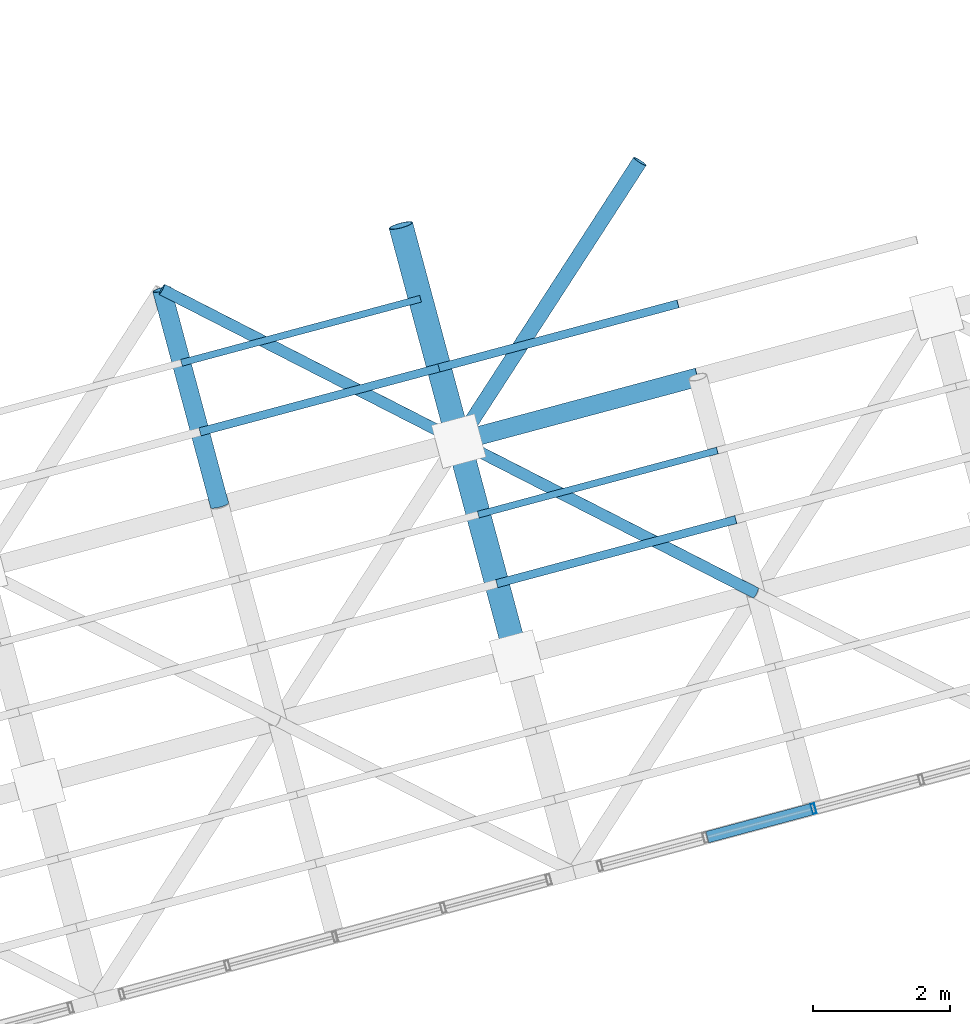
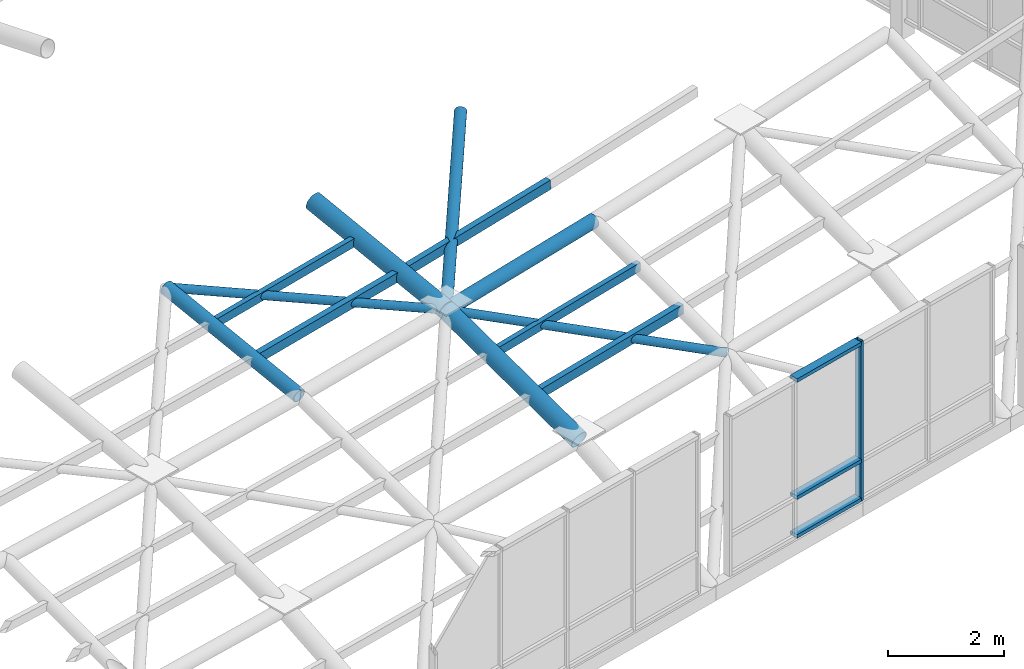
# One storey, part 14 of 29: 16 members, 1 element without a shape of its own.
"""IFC4 building model written with IfcOpenShell, lengths in metres."""

from ifc_helpers import new_model, si_unit, direction, frame, origin, origin_2d, place, context, subcontext, project, spatial, hollow_rectangle, hollow_circle, extrude, material, layer, layer_set, material_profile, profile_set, type_object, element, aggregate, save


model = new_model("IFC4")

# Units and contexts
model_context = context("Model", 3, precision=1e-05, world=origin(), true_north=direction((0.0, 1.0)))
body_context = subcontext(model_context, "Body", "Model", "MODEL_VIEW")
ifc_project = project(units=[si_unit("LENGTHUNIT", "METRE"), si_unit("AREAUNIT", "SQUARE_METRE"), si_unit("VOLUMEUNIT", "CUBIC_METRE"), si_unit("PLANEANGLEUNIT", "RADIAN"), si_unit("MASSUNIT", "GRAM", prefix="KILO")], contexts=[model_context])

# Site, building, storey
site_placement = place(None, origin())
site = spatial("IfcSite", under=ifc_project, at=site_placement, CompositionType="ELEMENT")
building_placement = place(site_placement, origin())
building = spatial("IfcBuilding", under=site, at=building_placement, Name="Ventoquebrada Cableway Terminal", CompositionType="ELEMENT")
storey_placement = place(building_placement, frame((0.0, 0.0, 18.89990234375)))
storey = spatial("IfcBuildingStorey", under=building, at=storey_placement, Name="L04", CompositionType="ELEMENT", Elevation=18.89990234375)

# Members
ifc_material_1 = material(Name="Steel ASTM A500 Grade C", Category="steel")
ifc_material_profile_1 = material_profile(ifc_material_1, hollow_circle(Radius=0.109619140625, WallThickness=0.010009765625, at=origin_2d()), Name="CHS219.1X10")
ifc_profile_set_1 = profile_set([ifc_material_profile_1], Name="Steel ASTM A500 Grade C")
member_type_1 = type_object("IfcMemberType", Name="BRC-GS01", PredefinedType="BRACE", material=ifc_profile_set_1)
member_1_placement = place(storey_placement, frame((71.159912109375, 81.653076171875, 3.652099609375), z_axis=(0.536175682864, 0.828075346092, 0.163728000963), x_axis=(-0.839402648036, 0.543510068416, 0.0)))
element("IfcMember", 1, at=member_1_placement, inside=storey, type_object=member_type_1, Name="Saddle gridshell diagrid brace GBR-0343", PredefinedType="BRACE", context=body_context, shape_type="SweptSolid", body=[
    extrude(hollow_circle(Radius=0.109619140625, WallThickness=0.010009765625, at=origin_2d()), origin(), (0.0, 0.0, 1.0), 4.916259765625),
])
ifc_material_profile_2 = material_profile(ifc_material_1, hollow_circle(Radius=0.084228515625, WallThickness=0.008056640625, at=origin_2d()), Name="CHS168.3X8")
ifc_profile_set_2 = profile_set([ifc_material_profile_2], Name="Steel ASTM A500 Grade C")
member_type_2 = type_object("IfcMemberType", Name="BRC-GS02", PredefinedType="BRACE", material=ifc_profile_set_2)
member_2_placement = place(storey_placement, frame((66.841064453125, 83.861083984375, 4.295166015625), z_axis=(0.882661574001, -0.451260106007, -0.13142626263), x_axis=(0.455208608618, 0.890384817166, 0.0)))
element("IfcMember", 2, at=member_2_placement, inside=storey, type_object=member_type_2, Name="Saddle gridshell diagrid brace GBR-0319", PredefinedType="BRACE", context=body_context, shape_type="SweptSolid", body=[
    extrude(hollow_circle(Radius=0.084228515625, WallThickness=0.008056640625, at=origin_2d()), origin(), (0.0, 0.0, 1.0), 4.89306640625),
])
member_3_placement = place(storey_placement, frame((71.159912109375, 81.653076171875, 3.652099609375), z_axis=(0.869102008626, -0.444206601344, -0.217582614021), x_axis=(0.455110172756, 0.890435135568, 0.0)))
element("IfcMember", 3, at=member_3_placement, inside=storey, type_object=member_type_2, Name="Saddle gridshell diagrid brace GBR-0340", PredefinedType="BRACE", context=body_context, shape_type="SweptSolid", body=[
    extrude(hollow_circle(Radius=0.084228515625, WallThickness=0.008056640625, at=origin_2d()), origin(), (0.0, 0.0, 1.0), 4.968505859375),
])
ifc_material_profile_3 = material_profile(ifc_material_1, hollow_circle(Radius=0.177734375, WallThickness=0.012451171875, at=origin_2d()), Name="CHS355.6X12.5")
ifc_profile_set_3 = profile_set([ifc_material_profile_3], Name="Steel ASTM A500 Grade C")
member_type_3 = type_object("IfcMemberType", Name="CHD-GS01", PredefinedType="CHORD", material=ifc_profile_set_3)
member_4_placement = place(storey_placement, frame((72.0009765625, 78.513916015625, 2.51416015625), z_axis=(-0.244257995787, 0.91166017702, 0.330475041615), x_axis=(-0.965931285943, -0.258798668539, 0.0)))
element("IfcMember", 4, at=member_4_placement, inside=storey, type_object=member_type_3, Name="Saddle gridshell arch chord GCH-0064", PredefinedType="CHORD", context=body_context, shape_type="SweptSolid", body=[
    extrude(hollow_circle(Radius=0.177734375, WallThickness=0.012451171875, at=origin_2d()), origin(), (0.0, 0.0, 1.0), 3.443359375),
])
member_5_placement = place(storey_placement, frame((71.159912109375, 81.653076171875, 3.652099609375), z_axis=(-0.253472986182, 0.94515724575, 0.205983557797), x_axis=(-0.9658698883, -0.259027718353, 0.0)))
element("IfcMember", 5, at=member_5_placement, inside=storey, type_object=member_type_3, Name="Saddle gridshell arch chord GCH-0065", PredefinedType="CHORD", context=body_context, shape_type="SweptSolid", body=[
    extrude(hollow_circle(Radius=0.177734375, WallThickness=0.012451171875, at=origin_2d()), origin(), (0.0, 0.0, 1.0), 3.321044921875),
])
ifc_material_profile_4 = material_profile(ifc_material_1, hollow_circle(Radius=0.136474609375, WallThickness=0.012451171875, at=origin_2d()), Name="CHS273.0X12.5")
ifc_profile_set_4 = profile_set([ifc_material_profile_4], Name="Steel ASTM A500 Grade C")
member_type_4 = type_object("IfcMemberType", Name="CHD-GS02", PredefinedType="CHORD", material=ifc_profile_set_4)
member_6_placement = place(storey_placement, frame((67.681884765625, 80.720947265625, 3.6201171875), z_axis=(-0.253250763343, 0.945793065655, 0.203321242928), x_axis=(-0.965970169845, -0.258653495953, 0.0)))
element("IfcMember", 6, at=member_6_placement, inside=storey, type_object=member_type_4, Name="Saddle gridshell arch chord GCH-0057", PredefinedType="CHORD", context=body_context, shape_type="SweptSolid", body=[
    extrude(hollow_circle(Radius=0.136474609375, WallThickness=0.012451171875, at=origin_2d()), origin(), (0.0, 0.0, 1.0), 3.320068359375),
])
member_7_placement = place(storey_placement, frame((71.159912109375, 81.653076171875, 3.652099609375), z_axis=(0.965554098459, 0.258778261046, 0.027186293602), x_axis=(-0.258873944891, 0.965911114263, 0.0)))
element("IfcMember", 7, at=member_7_placement, inside=storey, type_object=member_type_4, Name="Saddle gridshell longitudinal chord GLG-0129", PredefinedType="CHORD", context=body_context, shape_type="SweptSolid", body=[
    extrude(hollow_circle(Radius=0.136474609375, WallThickness=0.012451171875, at=origin_2d()), origin(), (0.0, 0.0, 1.0), 3.60107421875),
])

# Curtain wall, members
ifc_material_2 = material(Name="Anodized thermally-broken aluminium", Category="aluminium")
ifc_layer = layer(ifc_material_2, 0.159912109375)
ifc_layer_set = layer_set([ifc_layer], Name="Anodized thermally-broken aluminium")
curtain_wall_type = type_object("IfcCurtainWallType", Name="CW-T45", PredefinedType="USERDEFINED", material=ifc_layer_set)
curtain_wall_placement = place(storey_placement, origin())
curtain_wall = element("IfcCurtainWall", 8, at=curtain_wall_placement, inside=storey, type_object=curtain_wall_type, Name="Unitised glazed curtain wall CW-136", ObjectType="UNITISED CURTAIN WALL", PredefinedType="USERDEFINED")
ifc_material_profile_5 = material_profile(ifc_material_2, hollow_rectangle(XDim=0.06005859375, YDim=0.14990234375, WallThickness=0.00390625, at=origin_2d()), Name="CW-MUL-60X150")
ifc_profile_set_5 = profile_set([ifc_material_profile_5], Name="Anodized thermally-broken aluminium")
member_type_5 = type_object("IfcMemberType", Name="CWM-03", PredefinedType="MULLION", material=ifc_profile_set_5)
member_8_placement = place(storey_placement, frame((76.320068359375, 76.305908203125, 1.087158203125), z_axis=(0.0, 0.0, 1.0), x_axis=(0.965903236389, 0.258903337047, 0.0)))
member_8 = element("IfcMember", 9, at=member_8_placement, type_object=member_type_5, Name="Curtain wall mullion FML-0663", PredefinedType="MULLION", context=body_context, shape_type="SweptSolid", body=[
    extrude(hollow_rectangle(XDim=0.06005859375, YDim=0.14990234375, WallThickness=0.00390625, at=origin_2d()), origin(), (0.0, 0.0, 1.0), 3.373046875),
])
ifc_material_profile_6 = material_profile(ifc_material_2, hollow_rectangle(XDim=0.074951171875, YDim=0.169921875, WallThickness=0.00439453125, at=origin_2d()), Name="CW-TRN-75X170")
ifc_profile_set_6 = profile_set([ifc_material_profile_6], Name="Anodized thermally-broken aluminium")
member_type_6 = type_object("IfcMemberType", Name="CWT-03", PredefinedType="USERDEFINED", material=ifc_profile_set_6)
member_9_placement = place(storey_placement, frame((74.77392578125, 75.89208984375, 1.130126953125), z_axis=(0.965860816082, 0.259061544731, 0.0), x_axis=(0.0, 0.0, 1.0)))
member_9 = element("IfcMember", 10, at=member_9_placement, type_object=member_type_6, Name="Curtain wall transom FTR-1959", ObjectType="TRANSOM", PredefinedType="USERDEFINED", context=body_context, shape_type="SweptSolid", body=[
    extrude(hollow_rectangle(XDim=0.074951171875, YDim=0.169921875, WallThickness=0.00439453125, at=origin_2d()), origin(), (0.0, 0.0, 1.0), 1.57470703125),
])
member_10_placement = place(storey_placement, frame((74.77392578125, 75.89208984375, 1.945068359375), z_axis=(0.965860816082, 0.259061544731, 0.0), x_axis=(0.0, 0.0, 1.0)))
member_10 = element("IfcMember", 11, at=member_10_placement, type_object=member_type_6, Name="Curtain wall transom FTR-1960", ObjectType="TRANSOM", PredefinedType="USERDEFINED", context=body_context, shape_type="SweptSolid", body=[
    extrude(hollow_rectangle(XDim=0.074951171875, YDim=0.169921875, WallThickness=0.00439453125, at=origin_2d()), origin(), (0.0, 0.0, 1.0), 1.57470703125),
])
member_11_placement = place(storey_placement, frame((74.77392578125, 75.89208984375, 4.420166015625), z_axis=(0.965860816082, 0.259061544731, 0.0), x_axis=(0.0, 0.0, 1.0)))
member_11 = element("IfcMember", 12, at=member_11_placement, type_object=member_type_6, Name="Curtain wall transom FTR-1961", ObjectType="TRANSOM", PredefinedType="USERDEFINED", context=body_context, shape_type="SweptSolid", body=[
    extrude(hollow_rectangle(XDim=0.074951171875, YDim=0.169921875, WallThickness=0.00439453125, at=origin_2d()), origin(), (0.0, 0.0, 1.0), 1.57470703125),
])
aggregate(curtain_wall, [member_8, member_9, member_10, member_11])

# Members
ifc_material_profile_7 = material_profile(ifc_material_1, hollow_rectangle(XDim=0.1201171875, YDim=0.199951171875, WallThickness=0.008056640625, at=origin_2d()), Name="RHS200X120X8")
ifc_profile_set_7 = profile_set([ifc_material_profile_7], Name="Steel ASTM A500 Grade C")
member_type_7 = type_object("IfcMemberType", Name="PUR-RF01", PredefinedType="PURLIN", material=ifc_profile_set_7)
member_12_placement = place(storey_placement, frame((67.39599609375, 81.7890625, 3.84912109375), z_axis=(0.965949073582, 0.258540209011, 0.009967325131), x_axis=(-0.258553052639, 0.965997059504, 0.0)))
element("IfcMember", 13, at=member_12_placement, inside=storey, type_object=member_type_7, Name="Gridshell secondary roof purlin GPR-0320", PredefinedType="PURLIN", context=body_context, shape_type="SweptSolid", body=[
    extrude(hollow_rectangle(XDim=0.1201171875, YDim=0.199951171875, WallThickness=0.008056640625, at=origin_2d()), origin(), (0.0, 0.0, 1.0), 3.6005859375),
])
member_13_placement = place(storey_placement, frame((71.715087890625, 79.5810546875, 2.901123046875), z_axis=(0.965718484008, 0.258840492483, 0.019733451222), x_axis=(-0.258890904628, 0.965906568722, 0.0)))
element("IfcMember", 14, at=member_13_placement, inside=storey, type_object=member_type_7, Name="Gridshell secondary roof purlin GPR-0341", PredefinedType="PURLIN", context=body_context, shape_type="SweptSolid", body=[
    extrude(hollow_rectangle(XDim=0.1201171875, YDim=0.199951171875, WallThickness=0.008056640625, at=origin_2d()), origin(), (0.0, 0.0, 1.0), 3.600341796875),
])
member_14_placement = place(storey_placement, frame((70.8740234375, 82.719970703125, 3.885009765625), z_axis=(0.965483688322, 0.258827181717, 0.02915025881), x_axis=(-0.258937219442, 0.965894153822, 0.0)))
element("IfcMember", 15, at=member_14_placement, inside=storey, type_object=member_type_7, Name="Gridshell secondary roof purlin GPR-0344", PredefinedType="PURLIN", context=body_context, shape_type="SweptSolid", body=[
    extrude(hollow_rectangle(XDim=0.1201171875, YDim=0.199951171875, WallThickness=0.008056640625, at=origin_2d()), origin(), (0.0, 0.0, 1.0), 3.601318359375),
])
ifc_material_profile_8 = material_profile(ifc_material_1, hollow_rectangle(XDim=0.10009765625, YDim=0.179931640625, WallThickness=0.008056640625, at=origin_2d()), Name="RHS180X100X8")
ifc_profile_set_8 = profile_set([ifc_material_profile_8], Name="Steel ASTM A500 Grade C")
member_type_8 = type_object("IfcMemberType", Name="PUR-RF02", PredefinedType="PURLIN", material=ifc_profile_set_8)
member_15_placement = place(storey_placement, frame((67.126953125, 82.79296875, 4.065185546875), z_axis=(0.965840790353, 0.258922913746, 0.010511537881), x_axis=(-0.258937219442, 0.965894153822, 0.0)))
element("IfcMember", 16, at=member_15_placement, inside=storey, type_object=member_type_8, Name="Gridshell secondary roof purlin GPR-0321", PredefinedType="PURLIN", context=body_context, shape_type="SweptSolid", body=[
    extrude(hollow_rectangle(XDim=0.10009765625, YDim=0.179931640625, WallThickness=0.008056640625, at=origin_2d()), origin(), (0.0, 0.0, 1.0), 3.60009765625),
])
member_16_placement = place(storey_placement, frame((71.446044921875, 80.5859375, 3.26513671875), z_axis=(0.965631395612, 0.258866779135, 0.023323774757), x_axis=(-0.258937219442, 0.965894153822, 0.0)))
element("IfcMember", 17, at=member_16_placement, inside=storey, type_object=member_type_8, Name="Gridshell secondary roof purlin GPR-0342", PredefinedType="PURLIN", context=body_context, shape_type="SweptSolid", body=[
    extrude(hollow_rectangle(XDim=0.10009765625, YDim=0.179931640625, WallThickness=0.008056640625, at=origin_2d()), origin(), (0.0, 0.0, 1.0), 3.600830078125),
])

save(model, "model.ifc")
